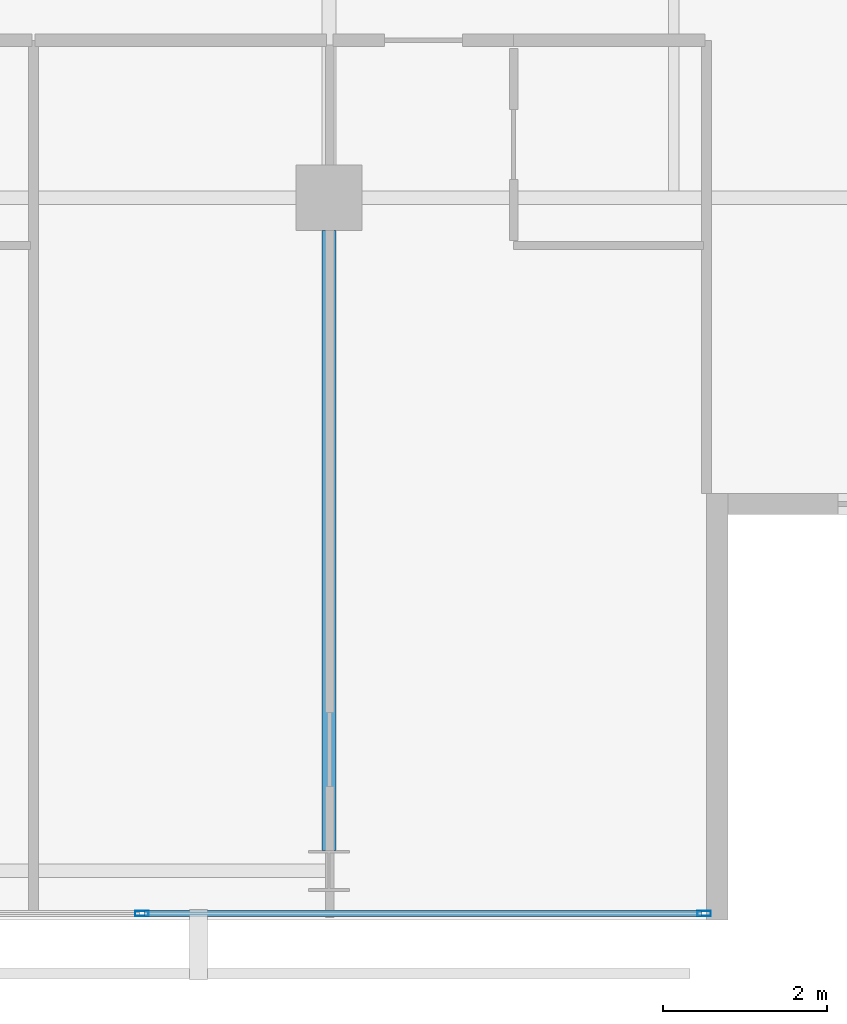
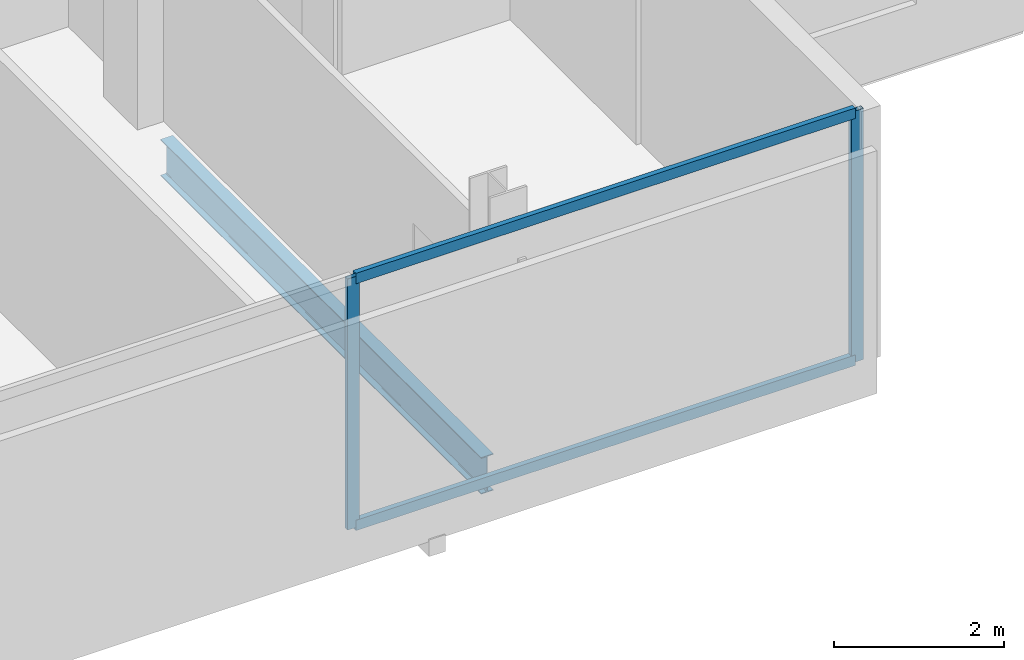
# One storey, part 10 of 26: 4 members, 1 beam, 1 element without a shape of its own.
"""IFC4 building model written with IfcOpenShell, lengths in metres."""

import ifcopenshell
import ifcopenshell.guid

model = None  # the IFC model being written
_history = None  # IfcOwnerHistory: only IFC2X3 demands one
_inside = {}  # id of a spatial element -> (the spatial element, [elements in it])
_under = {}  # id of a project, library or spatial element -> (it, [spatial elements below it])
_declared = {}  # id of a project -> (the project, [libraries it declares])
_typed = {}  # id of a type object -> (the type object, [elements of that type])
_made_of = {}  # id of a material, layer set ... -> (it, [elements and type objects made of it])


def new_model(schema):
    """Start an empty IFC model of exactly this schema.

    Asked for "IFC4X3", IfcOpenShell would pick the latest addendum, in which some entities
    have other attributes; the version numbers below select the first issue.
    IFC2X3 requires an IfcOwnerHistory on every rooted entity: one is made here for all.
    """
    global model, _history
    if schema == "IFC4X3":
        model = ifcopenshell.file(schema_version=(4, 3, 0, 0))
    else:
        model = ifcopenshell.file(schema=schema)
    _inside.clear()
    _under.clear()
    _declared.clear()
    _typed.clear()
    _made_of.clear()
    _history = None
    if model.schema == "IFC2X3":
        org = make("IfcOrganization", Name="unknown")
        user = make(
            "IfcPersonAndOrganization",
            ThePerson=make("IfcPerson", FamilyName="unknown"),
            TheOrganization=org,
        )
        app = make(
            "IfcApplication",
            ApplicationDeveloper=org,
            Version="unknown",
            ApplicationFullName="unknown",
            ApplicationIdentifier="unknown",
        )
        _history = make(
            "IfcOwnerHistory",
            OwningUser=user,
            OwningApplication=app,
            ChangeAction="ADDED",
            CreationDate=0,
        )
    return model


def make(cls, **values):
    """One entity of the class cls with the attributes given. An attribute that is None is left unset."""
    return model.create_entity(
        cls, **{name: value for name, value in values.items() if value is not None}
    )


def rooted(cls, **values):
    """An entity with a GlobalId (a new one), such as an element, a storey or a relation."""
    return make(cls, GlobalId=ifcopenshell.guid.new(), OwnerHistory=_history, **values)


def si_unit(unit_type, name, prefix=None):
    """IfcSIUnit, for example si_unit("LENGTHUNIT", "METRE", prefix="MILLI")."""
    return make("IfcSIUnit", UnitType=unit_type, Prefix=prefix, Name=name)


def assignment(units):
    """IfcUnitAssignment: the units of a project."""
    return None if units is None else make("IfcUnitAssignment", Units=units)


def point(xyz):
    """IfcCartesianPoint."""
    return None if xyz is None else make("IfcCartesianPoint", Coordinates=xyz)


def direction(xyz):
    """IfcDirection."""
    return None if xyz is None else make("IfcDirection", DirectionRatios=xyz)


def frame(location, z_axis=None, x_axis=None):
    """IfcAxis2Placement3D, a coordinate frame: its origin and axes. An axis left out is left unset."""
    return make(
        "IfcAxis2Placement3D",
        Location=point(location),
        Axis=direction(z_axis),
        RefDirection=direction(x_axis),
    )


def frame_2d(location, x_axis=None):
    """IfcAxis2Placement2D, a coordinate frame in the plane: its origin and x axis."""
    return make(
        "IfcAxis2Placement2D", Location=point(location), RefDirection=direction(x_axis)
    )


def origin():
    """The frame at (0, 0, 0) with its axes left unset."""
    return frame((0.0, 0.0, 0.0))


def origin_2d():
    """The frame at (0, 0) in the plane with its x axis left unset."""
    return frame_2d((0.0, 0.0))


def place(relative_to, where):
    """IfcLocalPlacement: puts the frame where relative to a parent placement (None: the world)."""
    return make(
        "IfcLocalPlacement", PlacementRelTo=relative_to, RelativePlacement=where
    )


def context(
    kind, dimensions, precision=None, world=None, true_north=None, identifier=None
):
    """IfcGeometricRepresentationContext, for example the 3D "Model" context."""
    return make(
        "IfcGeometricRepresentationContext",
        ContextIdentifier=identifier,
        ContextType=kind,
        CoordinateSpaceDimension=dimensions,
        Precision=precision,
        WorldCoordinateSystem=world,
        TrueNorth=true_north,
    )


def subcontext(parent, identifier, kind, view, scale=None):
    """IfcGeometricRepresentationSubContext, for example "Body" below "Model"."""
    return make(
        "IfcGeometricRepresentationSubContext",
        ContextIdentifier=identifier,
        ContextType=kind,
        ParentContext=parent,
        TargetScale=scale,
        TargetView=view,
    )


def project(units=None, contexts=None):
    """IfcProject with its units and contexts."""
    return rooted(
        "IfcProject",
        Name="project",
        RepresentationContexts=contexts,
        UnitsInContext=assignment(units),
    )


def spatial(cls, under=None, at=None, **own):
    """A site, building, storey or space (cls), placed at a placement, below another one or the project."""
    s = rooted(cls, ObjectPlacement=at, **own)
    if under is not None:
        _under.setdefault(under.id(), (under, []))[1].append(s)
    return s


def profile(cls, at=None, kind="AREA", **sizes):
    """A parametric profile (cls). Its sizes go by their IFC names, for example OverallWidth=200.0."""
    return make(cls, ProfileType=kind, Position=at, **sizes)


def hollow_rectangle(**sizes):
    """IfcRectangleHollowProfileDef."""
    return profile("IfcRectangleHollowProfileDef", **sizes)


def i_section(**sizes):
    """IfcIShapeProfileDef."""
    return profile("IfcIShapeProfileDef", **sizes)


def extrude(swept, where, along, depth):
    """IfcExtrudedAreaSolid: the profile swept, set in the frame where, extruded along a direction by depth."""
    return make(
        "IfcExtrudedAreaSolid",
        SweptArea=swept,
        Position=where,
        ExtrudedDirection=direction(along),
        Depth=depth,
    )


def shape(context_of_items, identifier, shape_type, items):
    """IfcShapeRepresentation: the items that make up one representation, for example the "Body"."""
    return make(
        "IfcShapeRepresentation",
        ContextOfItems=context_of_items,
        RepresentationIdentifier=identifier,
        RepresentationType=shape_type,
        Items=items,
    )


def material(Name=None, Category=None):
    """IfcMaterial."""
    return make("IfcMaterial", Name=Name, Category=Category)


def layer(
    of_material, thickness, ventilated=None, Name=None, Category=None, Priority=None
):
    """IfcMaterialLayer: one layer of a wall or slab, of a material (None: an air gap)."""
    return make(
        "IfcMaterialLayer",
        Material=of_material,
        LayerThickness=thickness,
        IsVentilated=ventilated,
        Name=Name,
        Category=Category,
        Priority=Priority,
    )


def layer_set(layers, Name=None):
    """IfcMaterialLayerSet."""
    return make("IfcMaterialLayerSet", MaterialLayers=layers, LayerSetName=Name)


def material_profile(
    of_material, cross_section, Name=None, Category=None, Priority=None
):
    """IfcMaterialProfile: a cross section and its material."""
    return make(
        "IfcMaterialProfile",
        Name=Name,
        Material=of_material,
        Profile=cross_section,
        Priority=Priority,
        Category=Category,
    )


def profile_set(profiles, Name=None, composite=None):
    """IfcMaterialProfileSet."""
    return make(
        "IfcMaterialProfileSet",
        Name=Name,
        MaterialProfiles=profiles,
        CompositeProfile=composite,
    )


def made_of(thing, what):
    """Note that an element or type object is made of a material, layer set ...; save() writes the relation."""
    if what is not None:
        _made_of.setdefault(what.id(), (what, []))[1].append(thing)
    return thing


def type_object(cls, material=None, **own):
    """A type object (cls), such as IfcWallType, which elements share."""
    return made_of(rooted(cls, **own), material)


def element(
    cls,
    number,
    at=None,
    inside=None,
    cuts=None,
    type_object=None,
    material=None,
    context=None,
    identifier="Body",
    shape_type=None,
    held_by="IfcProductDefinitionShape",
    body=None,
    shapes=None,
    **own,
):
    """One element of the class cls, such as IfcWall. Its Tag is "e" and its number.

    at: its placement. inside: the storey or other place that contains it. cuts: it is an
    opening in that element (IfcRelVoidsElement). A single representation is given by context,
    identifier, shape_type and body (its items); several are given by shapes. held_by: the class
    of the entity that holds the representations. save() writes the other relations.
    """
    e = rooted(cls, Tag="e%d" % number, ObjectPlacement=at, **own)
    if body is not None:
        shapes = [shape(context, identifier, shape_type, body)]
    if shapes is not None:
        e.Representation = make(held_by, Representations=shapes)
    if inside is not None:
        _inside.setdefault(inside.id(), (inside, []))[1].append(e)
    if cuts is not None:
        rooted(
            "IfcRelVoidsElement", RelatingBuildingElement=cuts, RelatedOpeningElement=e
        )
    if type_object is not None:
        _typed.setdefault(type_object.id(), (type_object, []))[1].append(e)
    return made_of(e, material)


def aggregate(whole, parts):
    """IfcRelAggregates: a whole, such as a stair, and the parts it consists of."""
    return rooted("IfcRelAggregates", RelatingObject=whole, RelatedObjects=parts)


def save(model, path):
    """Write the relations noted so far, then the file.

    IfcRelAggregates (storeys below a building ...), IfcRelContainedInSpatialStructure (elements
    in a storey), IfcRelDefinesByType, IfcRelAssociatesMaterial and IfcRelDeclares: one each for
    every whole, place, type object, material and project.
    """
    for whole, parts in _under.values():
        aggregate(whole, parts)
    for where, things in _inside.values():
        rooted(
            "IfcRelContainedInSpatialStructure",
            RelatedElements=things,
            RelatingStructure=where,
        )
    for kind, things in _typed.values():
        rooted("IfcRelDefinesByType", RelatedObjects=things, RelatingType=kind)
    for what, things in _made_of.values():
        rooted("IfcRelAssociatesMaterial", RelatedObjects=things, RelatingMaterial=what)
    for by, libraries in _declared.values():
        rooted("IfcRelDeclares", RelatingContext=by, RelatedDefinitions=libraries)
    model.write(path)


model = new_model("IFC4")

# Units and contexts
model_context = context("Model", 3, precision=1e-05, world=origin(), true_north=direction((0.0, 1.0)))
body_context = subcontext(model_context, "Body", "Model", "MODEL_VIEW")
ifc_project = project(units=[si_unit("LENGTHUNIT", "METRE"), si_unit("AREAUNIT", "SQUARE_METRE"), si_unit("VOLUMEUNIT", "CUBIC_METRE"), si_unit("PLANEANGLEUNIT", "RADIAN"), si_unit("MASSUNIT", "GRAM", prefix="KILO")], contexts=[model_context])

# Site, building, storey
site_placement = place(None, origin())
site = spatial("IfcSite", under=ifc_project, at=site_placement, CompositionType="ELEMENT")
building_placement = place(site_placement, origin())
building = spatial("IfcBuilding", under=site, at=building_placement, Name="Maruvema Waterfront Hotel and Observation Tower", CompositionType="ELEMENT")
storey_placement = place(building_placement, frame((0.0, 0.0, 289.449951171875)))
storey = spatial("IfcBuildingStorey", under=building, at=storey_placement, Name="L71", CompositionType="ELEMENT", Elevation=289.449951171875)

# Curtain wall, members
ifc_material_1 = material(Name="Anodised bronze aluminium and solar-control low-E IGU", Category="aluminium")
ifc_layer = layer(ifc_material_1, 0.159912109375, Name="Zone 3 Champagne Inner Thermal Curtain Wall System CW-04")
ifc_layer_set = layer_set([ifc_layer], Name="Anodised bronze aluminium and solar-control low-E IGU")
curtain_wall_type = type_object("IfcCurtainWallType", Name="Zone 3 Champagne Inner Thermal Curtain Wall System CW-04", PredefinedType="USERDEFINED", material=ifc_layer_set)
curtain_wall_placement = place(storey_placement, origin())
curtain_wall = element("IfcCurtainWall", 1, at=curtain_wall_placement, inside=storey, type_object=curtain_wall_type, Name="L71 Curtain Wall CW-L71-S", ObjectType="UNITISED CURTAIN WALL", PredefinedType="USERDEFINED")
ifc_material_2 = material(Name="Anodised architectural bronze aluminium", Category="aluminium")
ifc_material_profile_1 = material_profile(ifc_material_2, hollow_rectangle(XDim=0.070068359375, YDim=0.14990234375, WallThickness=0.00390625, at=origin_2d()), Name="ALU-T70x150")
ifc_profile_set_1 = profile_set([ifc_material_profile_1], Name="Anodised architectural bronze aluminium")
member_type_1 = type_object("IfcMemberType", Name="Curtain Wall Horizontal Transom ALU-T70x150", PredefinedType="USERDEFINED", material=ifc_profile_set_1)
member_1_placement = place(storey_placement, frame((48.14990234375, 9.280029296875, 0.030029296875), z_axis=(1.0, 0.0, 0.0), x_axis=(0.0, 1.0, 0.0)))
member_1 = element("IfcMember", 2, at=member_1_placement, type_object=member_type_1, Name="CW-04 transom 5.1", ObjectType="TRANSOM", PredefinedType="USERDEFINED", context=body_context, shape_type="SweptSolid", body=[
    extrude(hollow_rectangle(XDim=0.070068359375, YDim=0.14990234375, WallThickness=0.00390625, at=origin_2d()), origin(), (0.0, 0.0, 1.0), 6.7900390625),
])
member_2_placement = place(storey_placement, frame((48.14990234375, 9.280029296875, 3.580078125), z_axis=(1.0, 0.0, 0.0), x_axis=(0.0, 1.0, 0.0)))
member_2 = element("IfcMember", 3, at=member_2_placement, type_object=member_type_1, Name="CW-04 transom 5.2", ObjectType="TRANSOM", PredefinedType="USERDEFINED", context=body_context, shape_type="SweptSolid", body=[
    extrude(hollow_rectangle(XDim=0.070068359375, YDim=0.14990234375, WallThickness=0.00390625, at=origin_2d()), origin(), (0.0, 0.0, 1.0), 6.7900390625),
])
ifc_material_3 = material(Name="Anodised architectural bronze aluminium", Category="aluminium")
ifc_material_profile_2 = material_profile(ifc_material_3, hollow_rectangle(XDim=0.06494140625, YDim=0.1650390625, WallThickness=0.00390625, at=origin_2d()), Name="ALU-M65x165")
ifc_profile_set_2 = profile_set([ifc_material_profile_2], Name="Anodised architectural bronze aluminium")
member_type_2 = type_object("IfcMemberType", Name="Curtain Wall Primary Mullion ALU-M65x165", PredefinedType="MULLION", material=ifc_profile_set_2)
member_3_placement = place(storey_placement, frame((48.1201171875, 9.280029296875, 0.0), z_axis=(0.0, 0.0, 1.0), x_axis=(0.0, 1.0, 0.0)))
member_3 = element("IfcMember", 4, at=member_3_placement, type_object=member_type_2, Name="CW-04 mullion 5", PredefinedType="MULLION", context=body_context, shape_type="SweptSolid", body=[
    extrude(hollow_rectangle(XDim=0.06494140625, YDim=0.1650390625, WallThickness=0.00390625, at=origin_2d()), origin(), (0.0, 0.0, 1.0), 3.610107421875),
])
member_4_placement = place(storey_placement, frame((54.969970703125, 9.280029296875, 0.0), z_axis=(0.0, 0.0, 1.0), x_axis=(0.0, 1.0, 0.0)))
member_4 = element("IfcMember", 5, at=member_4_placement, type_object=member_type_2, Name="CW-04 mullion 6", PredefinedType="MULLION", context=body_context, shape_type="SweptSolid", body=[
    extrude(hollow_rectangle(XDim=0.06494140625, YDim=0.1650390625, WallThickness=0.00390625, at=origin_2d()), origin(), (0.0, 0.0, 1.0), 3.610107421875),
])
aggregate(curtain_wall, [member_3, member_4, member_1, member_2])

# Beam
ifc_material_4 = material(Name="Steel ASTM A572 Grade 50", Category="steel")
ifc_material_profile_3 = material_profile(ifc_material_4, i_section(OverallWidth=0.166015625, OverallDepth=0.529052734375, WebThickness=0.009765625, FlangeThickness=0.013671875, FilletRadius=0.014892578125, at=origin_2d()), Name="W530x74.0")
ifc_profile_set_3 = profile_set([ifc_material_profile_3], Name="Steel ASTM A572 Grade 50")
beam_type = type_object("IfcBeamType", Name="Primary Floor Girder W530x74.0", PredefinedType="BEAM", material=ifc_profile_set_3)
beam_placement = place(storey_placement, frame((50.39990234375, 10.050048828125, -0.50439453125), z_axis=(0.0, 1.0, 0.0), x_axis=(-1.0, 0.0, 0.0)))
element("IfcBeam", 6, at=beam_placement, inside=storey, type_object=beam_type, Name="L71 Floor Girder NS-12", PredefinedType="BEAM", context=body_context, shape_type="SweptSolid", body=[
    extrude(i_section(OverallWidth=0.166015625, OverallDepth=0.529052734375, WebThickness=0.009765625, FlangeThickness=0.013671875, FilletRadius=0.014892578125, at=origin_2d()), origin(), (0.0, 0.0, 1.0), 7.550048828125),
])

save(model, "model.ifc")
